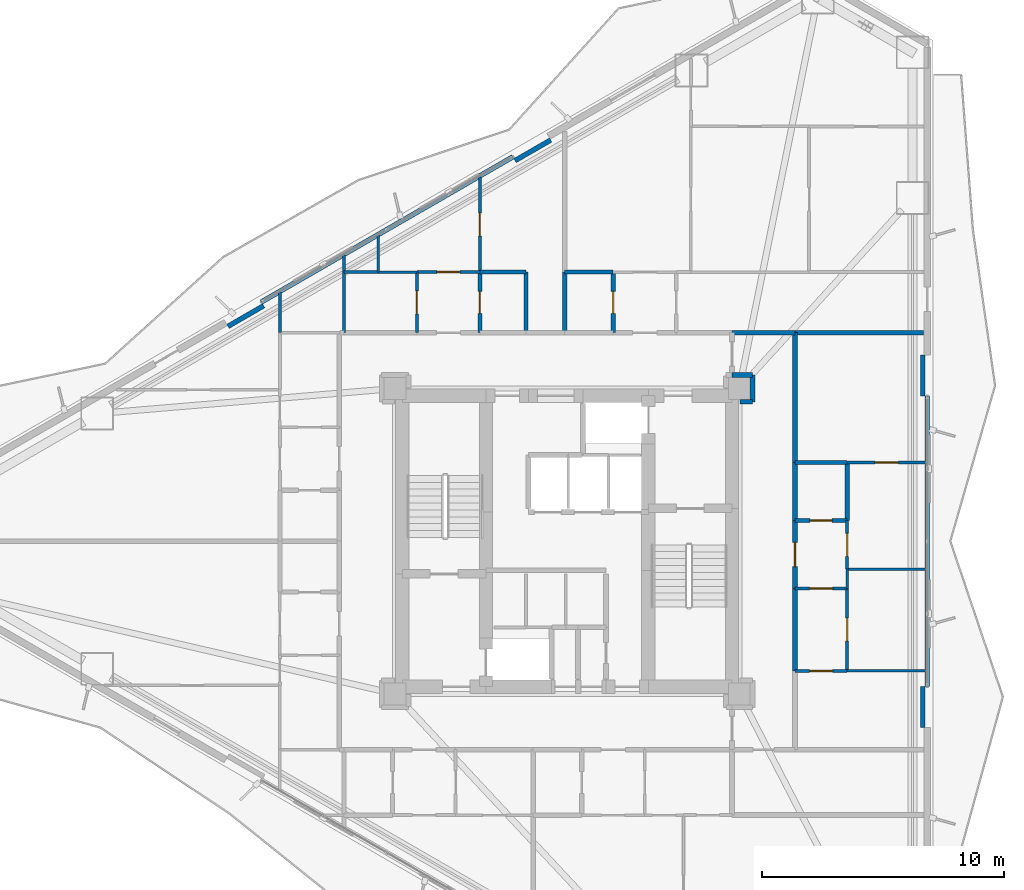
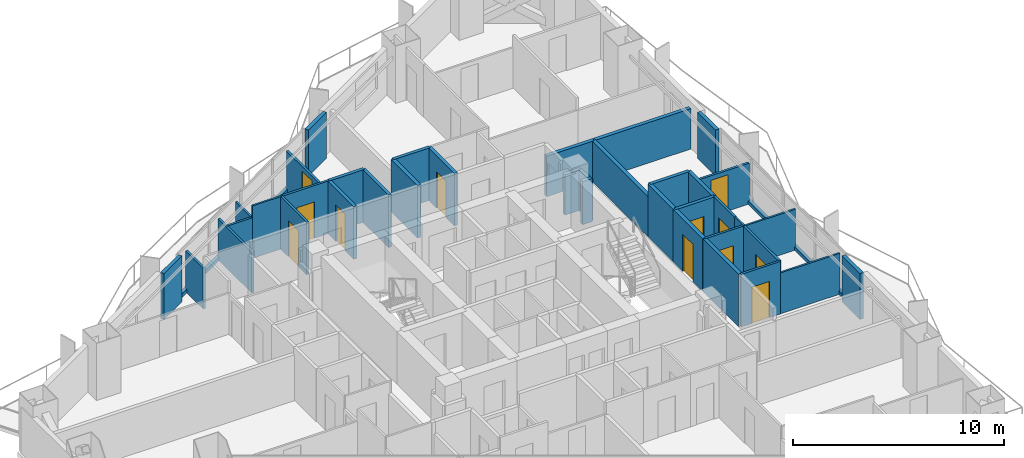
# One storey, part 15 of 18: 40 walls, 12 doors, 12 openings.
"""IFC4 building model written with IfcOpenShell, lengths in metres."""

from ifc_helpers import new_model, si_unit, direction, frame, frame_2d, origin, place, context, subcontext, project, spatial, rectangle, extrude, material, layer, layer_set, type_object, element, fill, save


model = new_model("IFC4")

# Units and contexts
model_context = context("Model", 3, precision=1e-05, world=origin(), true_north=direction((0.0, 1.0)))
body_context = subcontext(model_context, "Body", "Model", "MODEL_VIEW")
ifc_project = project(units=[si_unit("LENGTHUNIT", "METRE"), si_unit("AREAUNIT", "SQUARE_METRE"), si_unit("VOLUMEUNIT", "CUBIC_METRE"), si_unit("PLANEANGLEUNIT", "RADIAN"), si_unit("MASSUNIT", "GRAM", prefix="KILO")], contexts=[model_context])

# Site, building, storey
site_placement = place(None, origin())
site = spatial("IfcSite", under=ifc_project, at=site_placement, CompositionType="ELEMENT")
building_placement = place(site_placement, origin())
building = spatial("IfcBuilding", under=site, at=building_placement, Name="Mersakhor Tower and Convention Hall", CompositionType="ELEMENT")
storey_placement = place(building_placement, frame((0.0, 0.0, 39.0)))
storey = spatial("IfcBuildingStorey", under=building, at=storey_placement, Name="L10", CompositionType="ELEMENT", Elevation=39.0)

# Walls
ifc_material_1 = material(Name="Precast concrete C40/50", Category="concrete")
ifc_layer_1 = layer(ifc_material_1, 0.199951171875)
ifc_layer_set_1 = layer_set([ifc_layer_1], Name="Precast concrete C40/50")
wall_type_1 = type_object("IfcWallType", Name="WL-PAR-200", PredefinedType="PARAPET", material=ifc_layer_set_1)
wall_1_placement = place(storey_placement, frame((16.390380859375, 36.6171875, 0.0), z_axis=(0.0, 0.0, 1.0), x_axis=(0.866027351828, 0.499996625875, 0.0)))
element("IfcWall", 1, at=wall_1_placement, inside=storey, type_object=wall_type_1, Name="L10 Curtain Wall Upstand Sill F1-B2", PredefinedType="PARAPET", context=body_context, shape_type="SweptSolid", body=[
    extrude(rectangle(XDim=11.97314453125, YDim=0.199951171875, at=frame_2d((5.986572265625, 0.0))), origin(), (0.0, 0.0, 1.0), 0.199951171875),
])
for number, where, z_axis, x_axis, name in (
    (2, (15.00830078125, 35.611328125, 0.0), (0.0, 0.0, 1.0), (0.86605165483, 0.499954529098, 0.0), "L10 Column Pier Cladding Wall F1-C1"),
    (3, (26.849609375, 42.447998046875, 0.0), (0.0, 0.0, 1.0), (0.86605165483, 0.499954529098, 0.0), "L10 Column Pier Cladding Wall F1-C2"),
):
    element("IfcWall", number, at=place(storey_placement, frame(where, z_axis=z_axis, x_axis=x_axis)), inside=storey, type_object=wall_type_1, Name=name, PredefinedType="PARAPET", context=body_context, shape_type="SweptSolid", body=[
        extrude(rectangle(XDim=1.699951171875, YDim=0.199951171875, at=frame_2d((0.85009765625, 0.0))), origin(), (0.0, 0.0, 1.0), 2.659912109375),
    ])
wall_2_placement = place(storey_placement, frame((43.85009765625, 32.736572265625, 0.0), z_axis=(0.0, 0.0, 1.0), x_axis=(0.0, -1.0, 0.0)))
element("IfcWall", 4, at=wall_2_placement, inside=storey, type_object=wall_type_1, Name="L10 Curtain Wall Upstand Sill F2-B2", PredefinedType="PARAPET", context=body_context, shape_type="SweptSolid", body=[
    extrude(rectangle(XDim=11.97314453125, YDim=0.199951171875, at=frame_2d((5.986572265625, 0.0))), origin(), (0.0, 0.0, 1.0), 0.199951171875),
])
for number, where, z_axis, x_axis, name in (
    (5, (43.669921875, 34.4365234375, 0.0), (0.0, 0.0, 1.0), (0.0, -1.0, 0.0), "L10 Column Pier Cladding Wall F2-C1"),
    (6, (43.669921875, 20.763427734375, 0.0), (0.0, 0.0, 1.0), (0.0, -1.0, 0.0), "L10 Column Pier Cladding Wall F2-C2"),
):
    element("IfcWall", number, at=place(storey_placement, frame(where, z_axis=z_axis, x_axis=x_axis)), inside=storey, type_object=wall_type_1, Name=name, PredefinedType="PARAPET", context=body_context, shape_type="SweptSolid", body=[
        extrude(rectangle(XDim=1.699951171875, YDim=0.199951171875, at=frame_2d((0.85009765625, 0.0))), origin(), (0.0, 0.0, 1.0), 2.659912109375),
    ])

# Wall, opening, door
ifc_material_2 = material(Name="Moisture-resistant acoustic drywall studwork", Category="other")
ifc_layer_2 = layer(ifc_material_2, 0.175048828125)
ifc_layer_set_2 = layer_set([ifc_layer_2], Name="Moisture-resistant acoustic drywall studwork")
wall_type_2 = type_object("IfcWallType", Name="WL-PLM-175", PredefinedType="PLUMBINGWALL", material=ifc_layer_set_2)
wall_3_placement = place(storey_placement, frame((25.39990234375, 37.85009765625, 0.0), z_axis=(0.0, 0.0, 1.0), x_axis=(0.0, -1.0, 0.0)))
wall_3 = element("IfcWall", 7, at=wall_3_placement, inside=storey, type_object=wall_type_2, Name="L10 Interior Partition Wall P-068", PredefinedType="PLUMBINGWALL", context=body_context, shape_type="SweptSolid", body=[
    extrude(rectangle(XDim=2.5, YDim=0.175048828125, at=frame_2d((1.25, 0.0))), origin(), (0.0, 0.0, 1.0), 3.0400390625),
])
opening_1_placement = place(wall_3_placement, frame((0.800048828125, 0.0, 0.0)))
opening_1 = element("IfcOpeningElement", 8, at=opening_1_placement, cuts=wall_3, Name="Opening WD-01", PredefinedType="OPENING", context=body_context, shape_type="SweptSolid", body=[
    extrude(rectangle(XDim=0.89990234375, YDim=2.10009765625, at=frame_2d((0.449951171875, 1.050048828125))), frame((0.0, 0.097412109375, 0.0), z_axis=(0.0, -1.0, 0.0), x_axis=(1.0, 0.0, 0.0)), (0.0, 0.0, 1.0), 0.195068359375),
])
ifc_material_3 = material(Name="Solid-core hardwood leaf in painted steel frame", Category="steel")
door_type_1 = type_object("IfcDoorType", Name="DR-INT-WET-090x210", OperationType="NOTDEFINED", PredefinedType="DOOR", material=ifc_material_3)
door_1_placement = place(opening_1_placement, origin())
door_1 = element("IfcDoor", 9, at=door_1_placement, inside=storey, type_object=door_type_1, Name="L10 L10 Flat N1 Apartment Hall to L10 Flat N1 Bathroom Door", OperationType="SINGLE_SWING_RIGHT", OverallHeight=2.10009765625, OverallWidth=0.89990234375, PredefinedType="DOOR", context=body_context, shape_type="SweptSolid", body=[
    extrude(rectangle(XDim=0.89990234375, YDim=2.10009765625, at=frame_2d((0.449951171875, 1.050048828125))), frame((0.0, 0.02490234375, 0.0), z_axis=(0.0, -1.0, 0.0), x_axis=(1.0, 0.0, 0.0)), (0.0, 0.0, 1.0), 0.050048828125),
])
fill(opening_1, door_1)

wall_4_placement = place(storey_placement, frame((30.89990234375, 35.35009765625, 0.0), z_axis=(0.0, 0.0, 1.0), x_axis=(0.0, 1.0, 0.0)))
wall_4 = element("IfcWall", 10, at=wall_4_placement, inside=storey, type_object=wall_type_2, Name="L10 Interior Partition Wall P-072", PredefinedType="PLUMBINGWALL", context=body_context, shape_type="SweptSolid", body=[
    extrude(rectangle(XDim=2.5, YDim=0.175048828125, at=frame_2d((1.25, 0.0))), origin(), (0.0, 0.0, 1.0), 3.0400390625),
])
opening_2_placement = place(wall_4_placement, frame((0.800048828125, 0.0, 0.0)))
opening_2 = element("IfcOpeningElement", 11, at=opening_2_placement, cuts=wall_4, Name="Opening WD-01", PredefinedType="OPENING", context=body_context, shape_type="SweptSolid", body=[
    extrude(rectangle(XDim=0.89990234375, YDim=2.10009765625, at=frame_2d((0.449951171875, 1.050048828125))), frame((0.0, 0.097412109375, 0.0), z_axis=(0.0, -1.0, 0.0), x_axis=(1.0, 0.0, 0.0)), (0.0, 0.0, 1.0), 0.195068359375),
])
door_2_placement = place(opening_2_placement, origin())
door_2 = element("IfcDoor", 12, at=door_2_placement, inside=storey, type_object=door_type_1, Name="L10 L10 Flat N2 Apartment Hall to L10 Flat N2 Bathroom Door", OperationType="SINGLE_SWING_LEFT", OverallHeight=2.10009765625, OverallWidth=0.89990234375, PredefinedType="DOOR", context=body_context, shape_type="SweptSolid", body=[
    extrude(rectangle(XDim=0.89990234375, YDim=2.10009765625, at=frame_2d((0.449951171875, 1.050048828125))), frame((0.0, 0.02490234375, 0.0), z_axis=(0.0, -1.0, 0.0), x_axis=(1.0, 0.0, 0.0)), (0.0, 0.0, 1.0), 0.050048828125),
])
fill(opening_2, door_2)

wall_5_placement = place(storey_placement, frame((38.39990234375, 27.60009765625, 0.0), z_axis=(0.0, 0.0, 1.0), x_axis=(1.0, 0.0, 0.0)))
wall_5 = element("IfcWall", 13, at=wall_5_placement, inside=storey, type_object=wall_type_2, Name="L10 Interior Partition Wall P-088", PredefinedType="PLUMBINGWALL", context=body_context, shape_type="SweptSolid", body=[
    extrude(rectangle(XDim=2.150146484375, YDim=0.175048828125, at=frame_2d((1.0751953125, 0.0))), origin(), (0.0, 0.0, 1.0), 3.0400390625),
])
opening_3_placement = place(wall_5_placement, frame((0.625, 0.0, 0.0)))
opening_3 = element("IfcOpeningElement", 14, at=opening_3_placement, cuts=wall_5, Name="Opening WD-01", PredefinedType="OPENING", context=body_context, shape_type="SweptSolid", body=[
    extrude(rectangle(XDim=0.89990234375, YDim=2.10009765625, at=frame_2d((0.449951171875, 1.050048828125))), frame((0.0, 0.097412109375, 0.0), z_axis=(0.0, -1.0, 0.0), x_axis=(1.0, 0.0, 0.0)), (0.0, 0.0, 1.0), 0.195068359375),
])
door_3_placement = place(opening_3_placement, origin())
door_3 = element("IfcDoor", 15, at=door_3_placement, inside=storey, type_object=door_type_1, Name="L10 L10 Flat E7 Apartment Hall to L10 Flat E7 Bathroom Door", OperationType="SINGLE_SWING_RIGHT", OverallHeight=2.10009765625, OverallWidth=0.89990234375, PredefinedType="DOOR", context=body_context, shape_type="SweptSolid", body=[
    extrude(rectangle(XDim=0.89990234375, YDim=2.10009765625, at=frame_2d((0.449951171875, 1.050048828125))), frame((0.0, 0.02490234375, 0.0), z_axis=(0.0, -1.0, 0.0), x_axis=(1.0, 0.0, 0.0)), (0.0, 0.0, 1.0), 0.050048828125),
])
fill(opening_3, door_3)

# Walls
wall_6_placement = place(storey_placement, frame((25.39990234375, 37.85009765625, 0.0), z_axis=(0.0, 0.0, 1.0), x_axis=(1.0, 0.0, 0.0)))
element("IfcWall", 16, at=wall_6_placement, inside=storey, type_object=wall_type_2, Name="L10 Interior Partition Wall P-089", PredefinedType="PLUMBINGWALL", context=body_context, shape_type="SweptSolid", body=[
    extrude(rectangle(XDim=1.900146484375, YDim=0.175048828125, at=frame_2d((0.9501953125, 0.0))), origin(), (0.0, 0.0, 1.0), 3.0400390625),
])
wall_7_placement = place(storey_placement, frame((27.300048828125, 37.85009765625, 0.0), z_axis=(0.0, 0.0, 1.0), x_axis=(0.0, -1.0, 0.0)))
element("IfcWall", 17, at=wall_7_placement, inside=storey, type_object=wall_type_2, Name="L10 Interior Partition Wall P-090", PredefinedType="PLUMBINGWALL", context=body_context, shape_type="SweptSolid", body=[
    extrude(rectangle(XDim=2.5, YDim=0.175048828125, at=frame_2d((1.25, 0.0))), origin(), (0.0, 0.0, 1.0), 3.0400390625),
])
wall_8_placement = place(storey_placement, frame((28.89990234375, 37.85009765625, 0.0), z_axis=(0.0, 0.0, 1.0), x_axis=(1.0, 0.0, 0.0)))
element("IfcWall", 18, at=wall_8_placement, inside=storey, type_object=wall_type_2, Name="L10 Interior Partition Wall P-094", PredefinedType="PLUMBINGWALL", context=body_context, shape_type="SweptSolid", body=[
    extrude(rectangle(XDim=2.0, YDim=0.175048828125, at=frame_2d((1.0, 0.0))), origin(), (0.0, 0.0, 1.0), 3.0400390625),
])
wall_9_placement = place(storey_placement, frame((40.550048828125, 30.0, 0.0), z_axis=(0.0, 0.0, 1.0), x_axis=(0.0, -1.0, 0.0)))
element("IfcWall", 19, at=wall_9_placement, inside=storey, type_object=wall_type_2, Name="L10 Interior Partition Wall P-117", PredefinedType="PLUMBINGWALL", context=body_context, shape_type="SweptSolid", body=[
    extrude(rectangle(XDim=2.39990234375, YDim=0.175048828125, at=frame_2d((1.199951171875, 0.0))), origin(), (0.0, 0.0, 1.0), 3.0400390625),
])
wall_10_placement = place(storey_placement, frame((38.39990234375, 30.0, 0.0), z_axis=(0.0, 0.0, 1.0), x_axis=(1.0, 0.0, 0.0)))
element("IfcWall", 20, at=wall_10_placement, inside=storey, type_object=wall_type_2, Name="L10 Interior Partition Wall P-118", PredefinedType="PLUMBINGWALL", context=body_context, shape_type="SweptSolid", body=[
    extrude(rectangle(XDim=2.150146484375, YDim=0.175048828125, at=frame_2d((1.0751953125, 0.0))), origin(), (0.0, 0.0, 1.0), 3.0400390625),
])
ifc_material_4 = material(Name="Lightweight gypsum partition", Category="other")
ifc_layer_3 = layer(ifc_material_4, 0.10009765625)
ifc_layer_set_3 = layer_set([ifc_layer_3], Name="Lightweight gypsum partition")
wall_type_3 = type_object("IfcWallType", Name="WL-PRT-100", PredefinedType="PARTITIONING", material=ifc_layer_set_3)
wall_11_placement = place(storey_placement, frame((40.550048828125, 25.60009765625, 0.0), z_axis=(0.0, 0.0, 1.0), x_axis=(0.0, -1.0, 0.0)))
element("IfcWall", 21, at=wall_11_placement, inside=storey, type_object=wall_type_3, Name="L10 Interior Partition Wall P-086", PredefinedType="PARTITIONING", context=body_context, shape_type="SweptSolid", body=[
    extrude(rectangle(XDim=0.800048828125, YDim=0.10009765625, at=frame_2d((0.39990234375, 0.0))), origin(), (0.0, 0.0, 1.0), 3.0400390625),
])
wall_12_placement = place(storey_placement, frame((21.199951171875, 37.85009765625, 0.0), z_axis=(0.0, 0.0, 1.0), x_axis=(1.0, 0.0, 0.0)))
element("IfcWall", 22, at=wall_12_placement, inside=storey, type_object=wall_type_3, Name="L10 Interior Partition Wall P-092", PredefinedType="PARTITIONING", context=body_context, shape_type="SweptSolid", body=[
    extrude(rectangle(XDim=1.60009765625, YDim=0.10009765625, at=frame_2d((0.800048828125, 0.0))), origin(), (0.0, 0.0, 1.0), 3.0400390625),
])
wall_13_placement = place(storey_placement, frame((40.550048828125, 21.39990234375, 0.0), z_axis=(0.0, 0.0, 1.0), x_axis=(1.0, 0.0, 0.0)))
element("IfcWall", 23, at=wall_13_placement, inside=storey, type_object=wall_type_3, Name="L10 Interior Partition Wall P-120", PredefinedType="PARTITIONING", context=body_context, shape_type="SweptSolid", body=[
    extrude(rectangle(XDim=3.263916015625, YDim=0.10009765625, at=frame_2d((1.6318359375, 0.0))), origin(), (0.0, 0.0, 1.0), 2.364990234375),
])
wall_14_placement = place(storey_placement, frame((21.199951171875, 37.85009765625, 0.0), z_axis=(0.0, 0.0, 1.0), x_axis=(0.0, 1.0, 0.0)))
element("IfcWall", 24, at=wall_14_placement, inside=storey, type_object=wall_type_3, Name="L10 Interior Partition Wall P-124", PredefinedType="PARTITIONING", context=body_context, shape_type="SweptSolid", body=[
    extrude(rectangle(XDim=1.502197265625, YDim=0.10009765625, at=frame_2d((0.7509765625, 0.0))), origin(), (0.0, 0.0, 1.0), 2.364990234375),
])
wall_15_placement = place(storey_placement, frame((43.81396484375, 25.60009765625, 0.0), z_axis=(0.0, 0.0, 1.0), x_axis=(-1.0, 0.0, 0.0)))
element("IfcWall", 25, at=wall_15_placement, inside=storey, type_object=wall_type_3, Name="L10 Interior Partition Wall P-148", PredefinedType="PARTITIONING", context=body_context, shape_type="SweptSolid", body=[
    extrude(rectangle(XDim=3.263916015625, YDim=0.10009765625, at=frame_2d((1.6318359375, 0.0))), origin(), (0.0, 0.0, 1.0), 2.364990234375),
])

# Wall, opening, door
ifc_material_5 = material(Name="Gypsum board acoustic partition", Category="other")
ifc_layer_4 = layer(ifc_material_5, 0.125)
ifc_layer_set_4 = layer_set([ifc_layer_4], Name="Gypsum board acoustic partition")
wall_type_4 = type_object("IfcWallType", Name="WL-PRT-125", PredefinedType="PARTITIONING", material=ifc_layer_set_4)
wall_16_placement = place(storey_placement, frame((22.800048828125, 37.85009765625, 0.0), z_axis=(0.0, 0.0, 1.0), x_axis=(1.0, 0.0, 0.0)))
wall_16 = element("IfcWall", 26, at=wall_16_placement, inside=storey, type_object=wall_type_4, Name="L10 Interior Partition Wall P-067", PredefinedType="PARTITIONING", context=body_context, shape_type="SweptSolid", body=[
    extrude(rectangle(XDim=2.599853515625, YDim=0.125, at=frame_2d((1.2998046875, 0.0))), origin(), (0.0, 0.0, 1.0), 3.0400390625),
])
opening_4_placement = place(wall_16_placement, frame((0.824951171875, 0.0, 0.0)))
opening_4 = element("IfcOpeningElement", 27, at=opening_4_placement, cuts=wall_16, Name="Opening RD-01", PredefinedType="OPENING", context=body_context, shape_type="SweptSolid", body=[
    extrude(rectangle(XDim=0.949951171875, YDim=2.10009765625, at=frame_2d((0.47509765625, 1.050048828125))), frame((0.0, 0.072509765625, 0.0), z_axis=(0.0, -1.0, 0.0), x_axis=(1.0, 0.0, 0.0)), (0.0, 0.0, 1.0), 0.14501953125),
])
ifc_material_6 = material(Name="Solid-core hardwood leaf in painted steel frame", Category="steel")
door_type_2 = type_object("IfcDoorType", Name="DR-INT-RM-095x210", OperationType="NOTDEFINED", PredefinedType="DOOR", material=ifc_material_6)
door_4_placement = place(opening_4_placement, origin())
door_4 = element("IfcDoor", 28, at=door_4_placement, inside=storey, type_object=door_type_2, Name="L10 L10 Flat N1 Apartment Hall to L10 Flat N1 Bedroom 2 Door", OperationType="SINGLE_SWING_RIGHT", OverallHeight=2.10009765625, OverallWidth=0.949951171875, PredefinedType="DOOR", context=body_context, shape_type="SweptSolid", body=[
    extrude(rectangle(XDim=0.949951171875, YDim=2.10009765625, at=frame_2d((0.47509765625, 1.050048828125))), frame((0.0, 0.02490234375, 0.0), z_axis=(0.0, -1.0, 0.0), x_axis=(1.0, 0.0, 0.0)), (0.0, 0.0, 1.0), 0.050048828125),
])
fill(opening_4, door_4)

wall_17_placement = place(storey_placement, frame((22.800048828125, 35.35009765625, 0.0), z_axis=(0.0, 0.0, 1.0), x_axis=(0.0, 1.0, 0.0)))
wall_17 = element("IfcWall", 29, at=wall_17_placement, inside=storey, type_object=wall_type_4, Name="L10 Interior Partition Wall P-069", PredefinedType="PARTITIONING", context=body_context, shape_type="SweptSolid", body=[
    extrude(rectangle(XDim=2.5, YDim=0.125, at=frame_2d((1.25, 0.0))), origin(), (0.0, 0.0, 1.0), 3.0400390625),
])
opening_5_placement = place(wall_17_placement, frame((0.77490234375, 0.0, 0.0)))
opening_5 = element("IfcOpeningElement", 30, at=opening_5_placement, cuts=wall_17, Name="Opening RD-01", PredefinedType="OPENING", context=body_context, shape_type="SweptSolid", body=[
    extrude(rectangle(XDim=0.949951171875, YDim=2.10009765625, at=frame_2d((0.47509765625, 1.050048828125))), frame((0.0, 0.072509765625, 0.0), z_axis=(0.0, -1.0, 0.0), x_axis=(1.0, 0.0, 0.0)), (0.0, 0.0, 1.0), 0.14501953125),
])
door_5_placement = place(opening_5_placement, origin())
door_5 = element("IfcDoor", 31, at=door_5_placement, inside=storey, type_object=door_type_2, Name="L10 L10 Flat N1 Apartment Hall to L10 Flat N1 Kitchen Door", OperationType="SINGLE_SWING_LEFT", OverallHeight=2.10009765625, OverallWidth=0.949951171875, PredefinedType="DOOR", context=body_context, shape_type="SweptSolid", body=[
    extrude(rectangle(XDim=0.949951171875, YDim=2.10009765625, at=frame_2d((0.47509765625, 1.050048828125))), frame((0.0, 0.02490234375, 0.0), z_axis=(0.0, -1.0, 0.0), x_axis=(1.0, 0.0, 0.0)), (0.0, 0.0, 1.0), 0.050048828125),
])
fill(opening_5, door_5)

wall_18_placement = place(storey_placement, frame((40.550048828125, 27.60009765625, 0.0), z_axis=(0.0, 0.0, 1.0), x_axis=(0.0, -1.0, 0.0)))
wall_18 = element("IfcWall", 32, at=wall_18_placement, inside=storey, type_object=wall_type_4, Name="L10 Interior Partition Wall P-085", PredefinedType="PARTITIONING", context=body_context, shape_type="SweptSolid", body=[
    extrude(rectangle(XDim=2.0, YDim=0.125, at=frame_2d((1.0, 0.0))), origin(), (0.0, 0.0, 1.0), 3.0400390625),
])
opening_6_placement = place(wall_18_placement, frame((0.52490234375, 0.0, 0.0)))
opening_6 = element("IfcOpeningElement", 33, at=opening_6_placement, cuts=wall_18, Name="Opening RD-01", PredefinedType="OPENING", context=body_context, shape_type="SweptSolid", body=[
    extrude(rectangle(XDim=0.949951171875, YDim=2.10009765625, at=frame_2d((0.47509765625, 1.050048828125))), frame((0.0, 0.072509765625, 0.0), z_axis=(0.0, -1.0, 0.0), x_axis=(1.0, 0.0, 0.0)), (0.0, 0.0, 1.0), 0.14501953125),
])
door_6_placement = place(opening_6_placement, origin())
door_6 = element("IfcDoor", 34, at=door_6_placement, inside=storey, type_object=door_type_2, Name="L10 L10 Flat E7 Apartment Hall to L10 Flat E7 Master Bedroom Door", OperationType="SINGLE_SWING_LEFT", OverallHeight=2.10009765625, OverallWidth=0.949951171875, PredefinedType="DOOR", context=body_context, shape_type="SweptSolid", body=[
    extrude(rectangle(XDim=0.949951171875, YDim=2.10009765625, at=frame_2d((0.47509765625, 1.050048828125))), frame((0.0, 0.02490234375, 0.0), z_axis=(0.0, -1.0, 0.0), x_axis=(1.0, 0.0, 0.0)), (0.0, 0.0, 1.0), 0.050048828125),
])
fill(opening_6, door_6)

wall_19_placement = place(storey_placement, frame((40.550048828125, 24.800048828125, 0.0), z_axis=(0.0, 0.0, 1.0), x_axis=(-1.0, 0.0, 0.0)))
wall_19 = element("IfcWall", 35, at=wall_19_placement, inside=storey, type_object=wall_type_4, Name="L10 Interior Partition Wall P-087", PredefinedType="PARTITIONING", context=body_context, shape_type="SweptSolid", body=[
    extrude(rectangle(XDim=2.150146484375, YDim=0.125, at=frame_2d((1.0751953125, 0.0))), origin(), (0.0, 0.0, 1.0), 3.0400390625),
])
opening_7_placement = place(wall_19_placement, frame((0.60009765625, 0.0, 0.0)))
opening_7 = element("IfcOpeningElement", 36, at=opening_7_placement, cuts=wall_19, Name="Opening RD-01", PredefinedType="OPENING", context=body_context, shape_type="SweptSolid", body=[
    extrude(rectangle(XDim=0.949951171875, YDim=2.10009765625, at=frame_2d((0.47509765625, 1.050048828125))), frame((0.0, 0.072509765625, 0.0), z_axis=(0.0, -1.0, 0.0), x_axis=(1.0, 0.0, 0.0)), (0.0, 0.0, 1.0), 0.14501953125),
])
door_7_placement = place(opening_7_placement, origin())
door_7 = element("IfcDoor", 37, at=door_7_placement, inside=storey, type_object=door_type_2, Name="L10 L10 Flat E7 Apartment Hall to L10 Flat E7 Dining Alcove Door", OperationType="SINGLE_SWING_RIGHT", OverallHeight=2.10009765625, OverallWidth=0.949951171875, PredefinedType="DOOR", context=body_context, shape_type="SweptSolid", body=[
    extrude(rectangle(XDim=0.949951171875, YDim=2.10009765625, at=frame_2d((0.47509765625, 1.050048828125))), frame((0.0, 0.02490234375, 0.0), z_axis=(0.0, -1.0, 0.0), x_axis=(1.0, 0.0, 0.0)), (0.0, 0.0, 1.0), 0.050048828125),
])
fill(opening_7, door_7)

# Walls
wall_20_placement = place(storey_placement, frame((19.800048828125, 37.85009765625, 0.0), z_axis=(0.0, 0.0, 1.0), x_axis=(1.0, 0.0, 0.0)))
element("IfcWall", 38, at=wall_20_placement, inside=storey, type_object=wall_type_4, Name="L10 Interior Partition Wall P-091", PredefinedType="PARTITIONING", context=body_context, shape_type="SweptSolid", body=[
    extrude(rectangle(XDim=1.39990234375, YDim=0.125, at=frame_2d((0.699951171875, 0.0))), origin(), (0.0, 0.0, 1.0), 2.364990234375),
])
wall_21_placement = place(storey_placement, frame((19.800048828125, 35.35009765625, 0.0), z_axis=(0.0, 0.0, 1.0), x_axis=(0.0, 1.0, 0.0)))
element("IfcWall", 39, at=wall_21_placement, inside=storey, type_object=wall_type_4, Name="L10 Interior Partition Wall P-093", PredefinedType="PARTITIONING", context=body_context, shape_type="SweptSolid", body=[
    extrude(rectangle(XDim=3.194091796875, YDim=0.125, at=frame_2d((1.59716796875, 0.0))), origin(), (0.0, 0.0, 1.0), 2.364990234375),
])

# Wall, opening, door
wall_22_placement = place(storey_placement, frame((38.39990234375, 21.39990234375, 0.0), z_axis=(0.0, 0.0, 1.0), x_axis=(1.0, 0.0, 0.0)))
wall_22 = element("IfcWall", 40, at=wall_22_placement, inside=storey, type_object=wall_type_4, Name="L10 Interior Partition Wall P-119", PredefinedType="PARTITIONING", context=body_context, shape_type="SweptSolid", body=[
    extrude(rectangle(XDim=2.150146484375, YDim=0.125, at=frame_2d((1.0751953125, 0.0))), origin(), (0.0, 0.0, 1.0), 3.0400390625),
])
opening_8_placement = place(wall_22_placement, frame((0.60009765625, 0.0, 0.0)))
opening_8 = element("IfcOpeningElement", 41, at=opening_8_placement, cuts=wall_22, Name="Opening RD-01", PredefinedType="OPENING", context=body_context, shape_type="SweptSolid", body=[
    extrude(rectangle(XDim=0.949951171875, YDim=2.10009765625, at=frame_2d((0.47509765625, 1.050048828125))), frame((0.0, 0.072509765625, 0.0), z_axis=(0.0, -1.0, 0.0), x_axis=(1.0, 0.0, 0.0)), (0.0, 0.0, 1.0), 0.14501953125),
])
door_8_placement = place(opening_8_placement, origin())
door_8 = element("IfcDoor", 42, at=door_8_placement, inside=storey, type_object=door_type_2, Name="L10 L10 Flat E7 Kitchen to L10 Flat E7 Dining Alcove Door", OperationType="SINGLE_SWING_RIGHT", OverallHeight=2.10009765625, OverallWidth=0.949951171875, PredefinedType="DOOR", context=body_context, shape_type="SweptSolid", body=[
    extrude(rectangle(XDim=0.949951171875, YDim=2.10009765625, at=frame_2d((0.47509765625, 1.050048828125))), frame((0.0, 0.02490234375, 0.0), z_axis=(0.0, -1.0, 0.0), x_axis=(1.0, 0.0, 0.0)), (0.0, 0.0, 1.0), 0.050048828125),
])
fill(opening_8, door_8)

wall_23_placement = place(storey_placement, frame((25.39990234375, 41.77734375, 0.0), z_axis=(0.0, 0.0, 1.0), x_axis=(0.0, -1.0, 0.0)))
wall_23 = element("IfcWall", 43, at=wall_23_placement, inside=storey, type_object=wall_type_4, Name="L10 Interior Partition Wall P-125", PredefinedType="PARTITIONING", context=body_context, shape_type="SweptSolid", body=[
    extrude(rectangle(XDim=3.92724609375, YDim=0.125, at=frame_2d((1.963623046875, 0.0))), origin(), (0.0, 0.0, 1.0), 2.364990234375),
])
opening_9_placement = place(wall_23_placement, frame((1.488525390625, 0.0, 0.0)))
opening_9 = element("IfcOpeningElement", 44, at=opening_9_placement, cuts=wall_23, Name="Opening RD-01", PredefinedType="OPENING", context=body_context, shape_type="SweptSolid", body=[
    extrude(rectangle(XDim=0.949951171875, YDim=2.10009765625, at=frame_2d((0.47509765625, 1.050048828125))), frame((0.0, 0.072509765625, 0.0), z_axis=(0.0, -1.0, 0.0), x_axis=(1.0, 0.0, 0.0)), (0.0, 0.0, 1.0), 0.14501953125),
])
door_9_placement = place(opening_9_placement, origin())
door_9 = element("IfcDoor", 45, at=door_9_placement, inside=storey, type_object=door_type_2, Name="L10 L10 Flat N1 Bedroom 2 to L10 Flat N1 Living and Dining Room Door", OperationType="SINGLE_SWING_LEFT", OverallHeight=2.10009765625, OverallWidth=0.949951171875, PredefinedType="DOOR", context=body_context, shape_type="SweptSolid", body=[
    extrude(rectangle(XDim=0.949951171875, YDim=2.10009765625, at=frame_2d((0.47509765625, 1.050048828125))), frame((0.0, 0.02490234375, 0.0), z_axis=(0.0, -1.0, 0.0), x_axis=(1.0, 0.0, 0.0)), (0.0, 0.0, 1.0), 0.050048828125),
])
fill(opening_9, door_9)

# Wall
wall_24_placement = place(storey_placement, frame((17.14990234375, 37.01416015625, 0.0), z_axis=(0.0, 0.0, 1.0), x_axis=(0.0, -1.0, 0.0)))
element("IfcWall", 46, at=wall_24_placement, inside=storey, type_object=wall_type_4, Name="L10 Interior Partition Wall P-143", PredefinedType="PARTITIONING", context=body_context, shape_type="SweptSolid", body=[
    extrude(rectangle(XDim=1.6640625, YDim=0.125, at=frame_2d((0.83203125, 0.0))), origin(), (0.0, 0.0, 1.0), 2.364990234375),
])

# Wall, opening, door
wall_25_placement = place(storey_placement, frame((43.81396484375, 30.0, 0.0), z_axis=(0.0, 0.0, 1.0), x_axis=(-1.0, 0.0, 0.0)))
wall_25 = element("IfcWall", 47, at=wall_25_placement, inside=storey, type_object=wall_type_4, Name="L10 Interior Partition Wall P-147", PredefinedType="PARTITIONING", context=body_context, shape_type="SweptSolid", body=[
    extrude(rectangle(XDim=3.263916015625, YDim=0.125, at=frame_2d((1.6318359375, 0.0))), origin(), (0.0, 0.0, 1.0), 2.364990234375),
])
opening_10_placement = place(wall_25_placement, frame((1.156982421875, 0.0, 0.0)))
opening_10 = element("IfcOpeningElement", 48, at=opening_10_placement, cuts=wall_25, Name="Opening RD-01", PredefinedType="OPENING", context=body_context, shape_type="SweptSolid", body=[
    extrude(rectangle(XDim=0.949951171875, YDim=2.10009765625, at=frame_2d((0.47509765625, 1.050048828125))), frame((0.0, 0.072509765625, 0.0), z_axis=(0.0, -1.0, 0.0), x_axis=(1.0, 0.0, 0.0)), (0.0, 0.0, 1.0), 0.14501953125),
])
door_10_placement = place(opening_10_placement, origin())
door_10 = element("IfcDoor", 49, at=door_10_placement, inside=storey, type_object=door_type_2, Name="L10 L10 Flat E7 Living and Dining Room to L10 Flat E7 Master Bedroom Door", OperationType="SINGLE_SWING_RIGHT", OverallHeight=2.10009765625, OverallWidth=0.949951171875, PredefinedType="DOOR", context=body_context, shape_type="SweptSolid", body=[
    extrude(rectangle(XDim=0.949951171875, YDim=2.10009765625, at=frame_2d((0.47509765625, 1.050048828125))), frame((0.0, 0.02490234375, 0.0), z_axis=(0.0, -1.0, 0.0), x_axis=(1.0, 0.0, 0.0)), (0.0, 0.0, 1.0), 0.050048828125),
])
fill(opening_10, door_10)

wall_26_placement = place(storey_placement, frame((40.550048828125, 21.39990234375, 0.0), z_axis=(0.0, 0.0, 1.0), x_axis=(0.0, 1.0, 0.0)))
wall_26 = element("IfcWall", 50, at=wall_26_placement, inside=storey, type_object=wall_type_4, Name="L10 Interior Partition Wall P-149", PredefinedType="PARTITIONING", context=body_context, shape_type="SweptSolid", body=[
    extrude(rectangle(XDim=3.400146484375, YDim=0.125, at=frame_2d((1.7001953125, 0.0))), origin(), (0.0, 0.0, 1.0), 3.0400390625),
])
opening_11_placement = place(wall_26_placement, frame((1.22509765625, 0.0, 0.0)))
opening_11 = element("IfcOpeningElement", 51, at=opening_11_placement, cuts=wall_26, Name="Opening RD-01", PredefinedType="OPENING", context=body_context, shape_type="SweptSolid", body=[
    extrude(rectangle(XDim=0.949951171875, YDim=2.10009765625, at=frame_2d((0.47509765625, 1.050048828125))), frame((0.0, 0.072509765625, 0.0), z_axis=(0.0, -1.0, 0.0), x_axis=(1.0, 0.0, 0.0)), (0.0, 0.0, 1.0), 0.14501953125),
])
door_11_placement = place(opening_11_placement, origin())
door_11 = element("IfcDoor", 52, at=door_11_placement, inside=storey, type_object=door_type_2, Name="L10 L10 Flat E7 Bedroom 2 to L10 Flat E7 Dining Alcove Door", OperationType="SINGLE_SWING_LEFT", OverallHeight=2.10009765625, OverallWidth=0.949951171875, PredefinedType="DOOR", context=body_context, shape_type="SweptSolid", body=[
    extrude(rectangle(XDim=0.949951171875, YDim=2.10009765625, at=frame_2d((0.47509765625, 1.050048828125))), frame((0.0, 0.02490234375, 0.0), z_axis=(0.0, -1.0, 0.0), x_axis=(1.0, 0.0, 0.0)), (0.0, 0.0, 1.0), 0.050048828125),
])
fill(opening_11, door_11)

# Walls
ifc_material_7 = material(Name="Acoustic concrete blockwork and gypsum board", Category="masonry")
ifc_layer_5 = layer(ifc_material_7, 0.199951171875)
ifc_layer_set_5 = layer_set([ifc_layer_5], Name="Acoustic concrete blockwork and gypsum board")
wall_type_5 = type_object("IfcWallType", Name="WL-PRT-200", PredefinedType="PARTITIONING", material=ifc_layer_set_5)
wall_27_placement = place(storey_placement, frame((36.125, 32.5, 0.0), z_axis=(0.0, 0.0, 1.0), x_axis=(1.0, 0.0, 0.0)))
element("IfcWall", 53, at=wall_27_placement, inside=storey, type_object=wall_type_5, Name="L10 Interior Partition Wall P-055", PredefinedType="PARTITIONING", context=body_context, shape_type="SweptSolid", body=[
    extrude(rectangle(XDim=0.52490234375, YDim=0.199951171875, at=frame_2d((0.262451171875, 0.0))), origin(), (0.0, 0.0, 1.0), 2.48828125),
])
wall_28_placement = place(storey_placement, frame((36.64990234375, 32.5, 0.0), z_axis=(0.0, 0.0, 1.0), x_axis=(0.0, 1.0, 0.0)))
element("IfcWall", 54, at=wall_28_placement, inside=storey, type_object=wall_type_5, Name="L10 Interior Partition Wall P-056", PredefinedType="PARTITIONING", context=body_context, shape_type="SweptSolid", body=[
    extrude(rectangle(XDim=1.10009765625, YDim=0.199951171875, at=frame_2d((0.550048828125, 0.0))), origin(), (0.0, 0.0, 1.0), 2.33740234375),
])
wall_29_placement = place(storey_placement, frame((36.64990234375, 33.60009765625, 0.0), z_axis=(0.0, 0.0, 1.0), x_axis=(-1.0, 0.0, 0.0)))
element("IfcWall", 55, at=wall_29_placement, inside=storey, type_object=wall_type_5, Name="L10 Interior Partition Wall P-057", PredefinedType="PARTITIONING", context=body_context, shape_type="SweptSolid", body=[
    extrude(rectangle(XDim=0.849853515625, YDim=0.199951171875, at=frame_2d((0.4248046875, 0.0))), origin(), (0.0, 0.0, 1.0), 2.33740234375),
])
wall_30_placement = place(storey_placement, frame((35.800048828125, 35.35009765625, 0.0), z_axis=(0.0, 0.0, 1.0), x_axis=(1.0, 0.0, 0.0)))
element("IfcWall", 56, at=wall_30_placement, inside=storey, type_object=wall_type_5, Name="L10 Interior Partition Wall P-058", PredefinedType="PARTITIONING", context=body_context, shape_type="SweptSolid", body=[
    extrude(rectangle(XDim=2.599853515625, YDim=0.199951171875, at=frame_2d((1.2998046875, 0.0))), origin(), (0.0, 0.0, 1.0), 2.33740234375),
])
wall_31_placement = place(storey_placement, frame((38.39990234375, 35.35009765625, 0.0), z_axis=(0.0, 0.0, 1.0), x_axis=(0.0, -1.0, 0.0)))
element("IfcWall", 57, at=wall_31_placement, inside=storey, type_object=wall_type_5, Name="L10 Interior Partition Wall P-059", PredefinedType="PARTITIONING", context=body_context, shape_type="SweptSolid", body=[
    extrude(rectangle(XDim=5.35009765625, YDim=0.199951171875, at=frame_2d((2.675048828125, 0.0))), origin(), (0.0, 0.0, 1.0), 2.33740234375),
])
wall_32_placement = place(storey_placement, frame((38.39990234375, 30.0, 0.0), z_axis=(0.0, 0.0, 1.0), x_axis=(0.0, -1.0, 0.0)))
element("IfcWall", 58, at=wall_32_placement, inside=storey, type_object=wall_type_5, Name="L10 Interior Partition Wall P-060", PredefinedType="PARTITIONING", context=body_context, shape_type="SweptSolid", body=[
    extrude(rectangle(XDim=2.39990234375, YDim=0.199951171875, at=frame_2d((1.199951171875, 0.0))), origin(), (0.0, 0.0, 1.0), 3.0400390625),
])

# Wall, opening, door
wall_33_placement = place(storey_placement, frame((38.39990234375, 27.60009765625, 0.0), z_axis=(0.0, 0.0, 1.0), x_axis=(0.0, -1.0, 0.0)))
wall_33 = element("IfcWall", 59, at=wall_33_placement, inside=storey, type_object=wall_type_5, Name="L10 Interior Partition Wall P-061", PredefinedType="PARTITIONING", context=body_context, shape_type="SweptSolid", body=[
    extrude(rectangle(XDim=2.800048828125, YDim=0.199951171875, at=frame_2d((1.39990234375, 0.0))), origin(), (0.0, 0.0, 1.0), 3.0400390625),
])
opening_12_placement = place(wall_33_placement, frame((0.89990234375, 0.0, 0.0)))
opening_12 = element("IfcOpeningElement", 60, at=opening_12_placement, cuts=wall_33, Name="Opening FD-01", PredefinedType="OPENING", context=body_context, shape_type="SweptSolid", body=[
    extrude(rectangle(XDim=1.0, YDim=2.14990234375, at=frame_2d((0.5, 1.074951171875))), frame((0.0, 0.10986328125, 0.0), z_axis=(0.0, -1.0, 0.0), x_axis=(1.0, 0.0, 0.0)), (0.0, 0.0, 1.0), 0.219970703125),
])
ifc_material_8 = material(Name="Fire-rated hardwood leaf and painted steel frame", Category="steel")
door_type_3 = type_object("IfcDoorType", Name="DR-INT-FLT-100x215", OperationType="NOTDEFINED", PredefinedType="DOOR", material=ifc_material_8)
door_12_placement = place(opening_12_placement, origin())
door_12 = element("IfcDoor", 61, at=door_12_placement, inside=storey, type_object=door_type_3, Name="L10 Apartment Entrance Door (Residential Ring East Corridor to L10 Flat E7 Apartment Hall)", OperationType="SINGLE_SWING_RIGHT", OverallHeight=2.14990234375, OverallWidth=1.0, PredefinedType="DOOR", context=body_context, shape_type="SweptSolid", body=[
    extrude(rectangle(XDim=1.0, YDim=2.14990234375, at=frame_2d((0.5, 1.074951171875))), frame((0.0, 0.02490234375, 0.0), z_axis=(0.0, -1.0, 0.0), x_axis=(1.0, 0.0, 0.0)), (0.0, 0.0, 1.0), 0.050048828125),
])
fill(opening_12, door_12)

# Walls
wall_34_placement = place(storey_placement, frame((38.39990234375, 24.800048828125, 0.0), z_axis=(0.0, 0.0, 1.0), x_axis=(0.0, -1.0, 0.0)))
element("IfcWall", 62, at=wall_34_placement, inside=storey, type_object=wall_type_5, Name="L10 Interior Partition Wall P-062", PredefinedType="PARTITIONING", context=body_context, shape_type="SweptSolid", body=[
    extrude(rectangle(XDim=3.400146484375, YDim=0.199951171875, at=frame_2d((1.7001953125, 0.0))), origin(), (0.0, 0.0, 1.0), 3.0400390625),
])
wall_35_placement = place(storey_placement, frame((28.89990234375, 35.35009765625, 0.0), z_axis=(0.0, 0.0, 1.0), x_axis=(0.0, 1.0, 0.0)))
element("IfcWall", 63, at=wall_35_placement, inside=storey, type_object=wall_type_5, Name="L10 Interior Partition Wall P-095", PredefinedType="PARTITIONING", context=body_context, shape_type="SweptSolid", body=[
    extrude(rectangle(XDim=2.5, YDim=0.199951171875, at=frame_2d((1.25, 0.0))), origin(), (0.0, 0.0, 1.0), 3.0400390625),
])
wall_36_placement = place(storey_placement, frame((43.6884765625, 35.35009765625, 0.0), z_axis=(0.0, 0.0, 1.0), x_axis=(-1.0, 0.0, 0.0)))
element("IfcWall", 64, at=wall_36_placement, inside=storey, type_object=wall_type_5, Name="L10 Interior Partition Wall P-096", PredefinedType="PARTITIONING", context=body_context, shape_type="SweptSolid", body=[
    extrude(rectangle(XDim=5.28857421875, YDim=0.199951171875, at=frame_2d((2.644287109375, 0.0))), origin(), (0.0, 0.0, 1.0), 2.33740234375),
])

save(model, "model.ifc")
